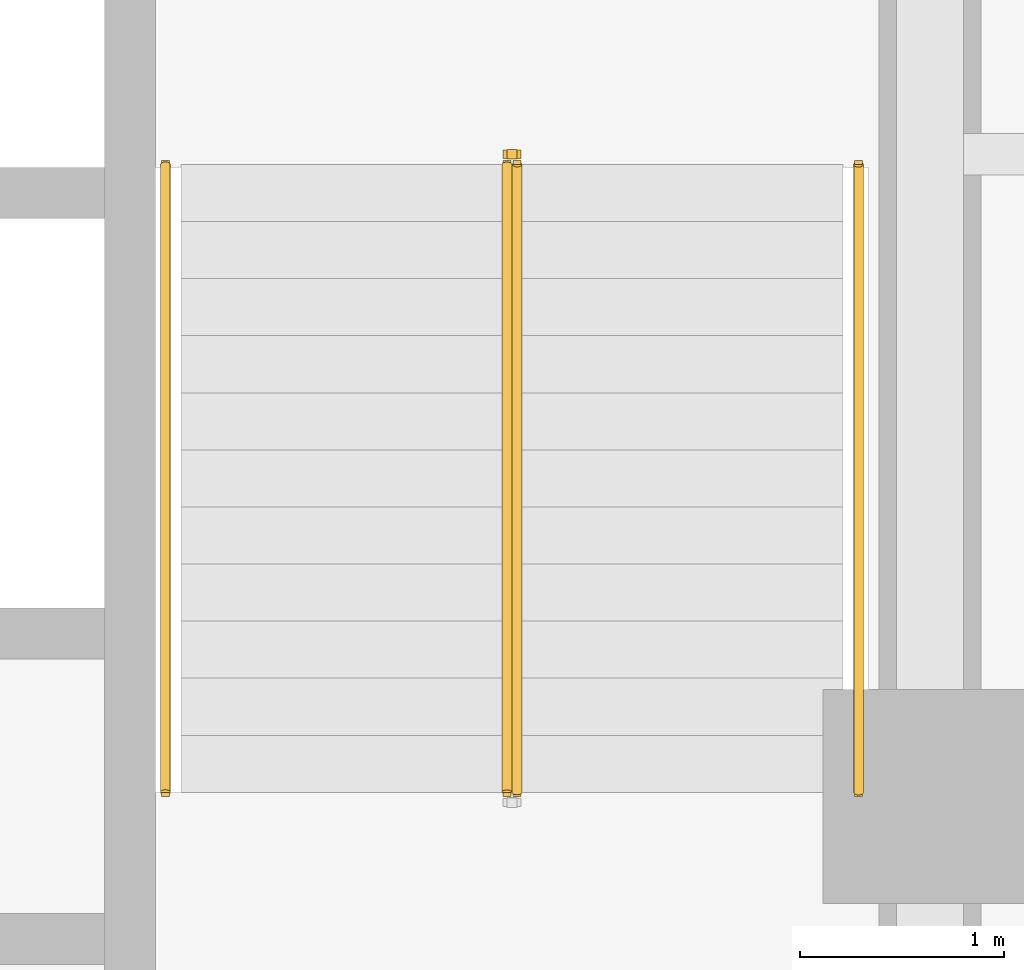
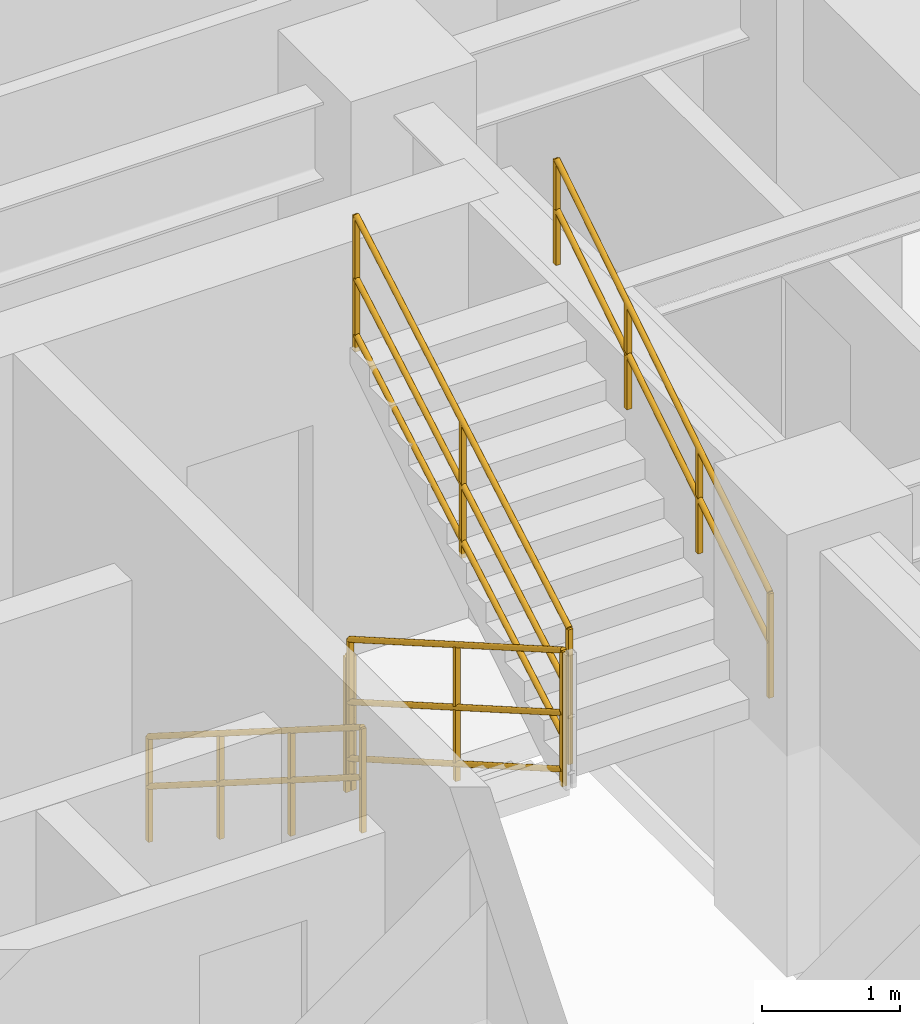
# One storey, part 9 of 10: 5 railings.
"""IFC4 building model written with IfcOpenShell, lengths in metres."""

from ifc_helpers import new_model, entity, si_unit, converted_unit, direction, frame, origin_with_axes, origin_2d_with_axis, place, context, subcontext, project, spatial, rectangle, circle, extrude, material, type_object, element, save


model = new_model("IFC4")

# Units and contexts
model_context = context("Model", 3, precision=1e-05, world=origin_with_axes(), true_north=direction((0.0, 1.0)))
body_context = subcontext(model_context, "Body", "Model", "MODEL_VIEW")
ifc_project = project(units=[si_unit("LENGTHUNIT", "METRE"), si_unit("AREAUNIT", "SQUARE_METRE"), si_unit("VOLUMEUNIT", "CUBIC_METRE"), converted_unit("PLANEANGLEUNIT", "DEGREE", entity("IfcPlaneAngleMeasure", 0.017453292519943295), si_unit("PLANEANGLEUNIT", "RADIAN"), dimensions=[0, 0, 0, 0, 0, 0, 0]), si_unit("MASSUNIT", "GRAM", prefix="KILO"), si_unit("THERMODYNAMICTEMPERATUREUNIT", "KELVIN")], contexts=[model_context])

# Site, building, storey
site_placement = place(None, origin_with_axes())
site = spatial("IfcSite", under=ifc_project, at=site_placement, CompositionType="ELEMENT")
building_placement = place(site_placement, origin_with_axes())
building = spatial("IfcBuilding", under=site, at=building_placement, Name="Varnlund Millrace Tower", CompositionType="ELEMENT")
storey_placement = place(building_placement, frame((0.0, 0.0, 175.8), z_axis=(0.0, 0.0, 1.0), x_axis=(1.0, 0.0, 0.0)))
storey = spatial("IfcBuildingStorey", under=building, at=storey_placement, Name="L43", CompositionType="ELEMENT", Elevation=175.8)

# Railings
ifc_material_1 = material(Name="Painted steel stair well balustrade guard", Category="steel")
railing_type_1 = type_object("IfcRailingType", Name="Type-StairGuard-1150", PredefinedType="GUARDRAIL", material=ifc_material_1)
railing_1_placement = place(storey_placement, frame((0.0, 0.0, -175.8), z_axis=(0.0, 0.0, 1.0), x_axis=(1.0, 0.0, 0.0)))
element("IfcRailing", 1, at=railing_1_placement, inside=storey, type_object=railing_type_1, Name="Type-StairGuard-1150", PredefinedType="GUARDRAIL", context=body_context, shape_type="SweptSolid", body=[
    extrude(circle(Radius=0.024, at=origin_2d_with_axis()), frame((45.975, 21.1, 177.127273), z_axis=(0.0, -0.866696, 0.498836), x_axis=(1.0, 0.0, 0.0)), (0.0, 0.0, 1.0), 3.553725),
    extrude(circle(Radius=0.024, at=origin_2d_with_axis()), frame((45.975, 21.1, 176.077273), z_axis=(0.0, -0.866696, 0.498836), x_axis=(1.0, 0.0, 0.0)), (0.0, 0.0, 1.0), 3.553725),
    extrude(circle(Radius=0.024, at=origin_2d_with_axis()), frame((45.975, 21.1, 176.575273), z_axis=(0.0, -0.866696, 0.498836), x_axis=(1.0, 0.0, 0.0)), (0.0, 0.0, 1.0), 3.553725),
    extrude(rectangle(XDim=0.04, YDim=0.04, at=origin_2d_with_axis()), frame((45.975, 21.1, 175.937273), z_axis=(0.0, 0.0, 1.0), x_axis=(1.0, 0.0, 0.0)), (0.0, 0.0, 1.0), 1.19),
    extrude(rectangle(XDim=0.04, YDim=0.04, at=origin_2d_with_axis()), frame((45.975, 19.56, 176.823636), z_axis=(0.0, 0.0, 1.0), x_axis=(1.0, 0.0, 0.0)), (0.0, 0.0, 1.0), 1.19),
    extrude(rectangle(XDim=0.04, YDim=0.04, at=origin_2d_with_axis()), frame((45.975, 18.02, 177.71), z_axis=(0.0, 0.0, 1.0), x_axis=(1.0, 0.0, 0.0)), (0.0, 0.0, 1.0), 1.19),
])
railing_2_placement = place(storey_placement, frame((0.0, 0.0, -175.8), z_axis=(0.0, 0.0, 1.0), x_axis=(1.0, 0.0, 0.0)))
element("IfcRailing", 2, at=railing_2_placement, inside=storey, type_object=railing_type_1, Name="Type-StairGuard-1150", PredefinedType="GUARDRAIL", context=body_context, shape_type="SweptSolid", body=[
    extrude(circle(Radius=0.024, at=origin_2d_with_axis()), frame((46.025, 18.02, 179.077273), z_axis=(0.0, 0.866696, 0.498836), x_axis=(-1.0, 0.0, 0.0)), (0.0, 0.0, 1.0), 3.553725),
    extrude(circle(Radius=0.024, at=origin_2d_with_axis()), frame((46.025, 18.02, 178.027273), z_axis=(0.0, 0.866696, 0.498836), x_axis=(-1.0, 0.0, 0.0)), (0.0, 0.0, 1.0), 3.553725),
    extrude(circle(Radius=0.024, at=origin_2d_with_axis()), frame((46.025, 18.02, 178.525273), z_axis=(0.0, 0.866696, 0.498836), x_axis=(-1.0, 0.0, 0.0)), (0.0, 0.0, 1.0), 3.553725),
    extrude(rectangle(XDim=0.04, YDim=0.04, at=origin_2d_with_axis()), frame((46.025, 18.02, 177.887273), z_axis=(0.0, 0.0, 1.0), x_axis=(1.0, 0.0, 0.0)), (0.0, 0.0, 1.0), 1.19),
    extrude(rectangle(XDim=0.04, YDim=0.04, at=origin_2d_with_axis()), frame((46.025, 19.56, 178.773637), z_axis=(0.0, 0.0, 1.0), x_axis=(1.0, 0.0, 0.0)), (0.0, 0.0, 1.0), 1.19),
    extrude(rectangle(XDim=0.04, YDim=0.04, at=origin_2d_with_axis()), frame((46.025, 21.1, 179.66), z_axis=(0.0, 0.0, 1.0), x_axis=(1.0, 0.0, 0.0)), (0.0, 0.0, 1.0), 1.19),
])
railing_3_placement = place(storey_placement, frame((0.0, 0.0, -175.8), z_axis=(0.0, 0.0, 1.0), x_axis=(1.0, 0.0, 0.0)))
element("IfcRailing", 3, at=railing_3_placement, inside=storey, type_object=railing_type_1, Name="Type-StairGuard-1150", PredefinedType="GUARDRAIL", context=body_context, shape_type="SweptSolid", body=[
    extrude(circle(Radius=0.024, at=origin_2d_with_axis()), frame((46.025, 21.15, 176.95), z_axis=(-1.0, 0.0, 0.0), x_axis=(0.0, -1.0, 0.0)), (0.0, 0.0, 1.0), 0.05),
    extrude(circle(Radius=0.024, at=origin_2d_with_axis()), frame((46.025, 21.15, 175.9), z_axis=(-1.0, 0.0, 0.0), x_axis=(0.0, -1.0, 0.0)), (0.0, 0.0, 1.0), 0.05),
    extrude(circle(Radius=0.024, at=origin_2d_with_axis()), frame((46.025, 21.15, 176.398), z_axis=(-1.0, 0.0, 0.0), x_axis=(0.0, -1.0, 0.0)), (0.0, 0.0, 1.0), 0.05),
    extrude(rectangle(XDim=0.04, YDim=0.04, at=origin_2d_with_axis()), frame((46.025, 21.15, 175.76), z_axis=(0.0, 0.0, 1.0), x_axis=(1.0, 0.0, 0.0)), (0.0, 0.0, 1.0), 1.19),
    extrude(rectangle(XDim=0.04, YDim=0.04, at=origin_2d_with_axis()), frame((45.975, 21.15, 175.76), z_axis=(0.0, 0.0, 1.0), x_axis=(1.0, 0.0, 0.0)), (0.0, 0.0, 1.0), 1.19),
])
ifc_material_2 = material(Name="Brushed architectural bronze stair handrail", Category="aluminium")
railing_type_2 = type_object("IfcRailingType", Name="Type-StairHandrail-900", PredefinedType="HANDRAIL", material=ifc_material_2)
railing_4_placement = place(storey_placement, frame((0.0, 0.0, -175.8), z_axis=(0.0, 0.0, 1.0), x_axis=(1.0, 0.0, 0.0)))
element("IfcRailing", 4, at=railing_4_placement, inside=storey, type_object=railing_type_2, Name="Type-StairHandrail-900", PredefinedType="HANDRAIL", context=body_context, shape_type="SweptSolid", body=[
    extrude(circle(Radius=0.024, at=origin_2d_with_axis()), frame((44.3, 21.1, 176.856995), z_axis=(0.0, -0.844902, 0.534922), x_axis=(1.0, 0.0, 0.0)), (0.0, 0.0, 1.0), 3.645394),
    extrude(circle(Radius=0.024, at=origin_2d_with_axis()), frame((44.3, 21.1, 176.417134), z_axis=(0.0, -0.844902, 0.534922), x_axis=(1.0, 0.0, 0.0)), (0.0, 0.0, 1.0), 3.645394),
    extrude(rectangle(XDim=0.04, YDim=0.04, at=origin_2d_with_axis()), frame((44.3, 21.1, 175.937273), z_axis=(0.0, 0.0, 1.0), x_axis=(1.0, 0.0, 0.0)), (0.0, 0.0, 1.0), 0.919722),
    extrude(rectangle(XDim=0.04, YDim=0.04, at=origin_2d_with_axis()), frame((44.3, 20.073333, 176.587273), z_axis=(0.0, 0.0, 1.0), x_axis=(1.0, 0.0, 0.0)), (0.0, 0.0, 1.0), 0.919722),
    extrude(rectangle(XDim=0.04, YDim=0.04, at=origin_2d_with_axis()), frame((44.3, 19.046667, 177.237273), z_axis=(0.0, 0.0, 1.0), x_axis=(1.0, 0.0, 0.0)), (0.0, 0.0, 1.0), 0.919722),
    extrude(rectangle(XDim=0.04, YDim=0.04, at=origin_2d_with_axis()), frame((44.3, 18.02, 177.887273), z_axis=(0.0, 0.0, 1.0), x_axis=(1.0, 0.0, 0.0)), (0.0, 0.0, 1.0), 0.919722),
])
railing_5_placement = place(storey_placement, frame((0.0, 0.0, -175.8), z_axis=(0.0, 0.0, 1.0), x_axis=(1.0, 0.0, 0.0)))
element("IfcRailing", 5, at=railing_5_placement, inside=storey, type_object=railing_type_2, Name="Type-StairHandrail-900", PredefinedType="HANDRAIL", context=body_context, shape_type="SweptSolid", body=[
    extrude(circle(Radius=0.024, at=origin_2d_with_axis()), frame((47.7, 18.02, 178.806995), z_axis=(0.0, 0.844902, 0.534922), x_axis=(-1.0, 0.0, 0.0)), (0.0, 0.0, 1.0), 3.645394),
    extrude(circle(Radius=0.024, at=origin_2d_with_axis()), frame((47.7, 18.02, 178.367134), z_axis=(0.0, 0.844902, 0.534922), x_axis=(-1.0, 0.0, 0.0)), (0.0, 0.0, 1.0), 3.645394),
    extrude(rectangle(XDim=0.04, YDim=0.04, at=origin_2d_with_axis()), frame((47.7, 18.02, 177.887273), z_axis=(0.0, 0.0, 1.0), x_axis=(1.0, 0.0, 0.0)), (0.0, 0.0, 1.0), 0.919722),
    extrude(rectangle(XDim=0.04, YDim=0.04, at=origin_2d_with_axis()), frame((47.7, 19.046667, 178.537273), z_axis=(0.0, 0.0, 1.0), x_axis=(1.0, 0.0, 0.0)), (0.0, 0.0, 1.0), 0.919722),
    extrude(rectangle(XDim=0.04, YDim=0.04, at=origin_2d_with_axis()), frame((47.7, 20.073333, 179.187273), z_axis=(0.0, 0.0, 1.0), x_axis=(1.0, 0.0, 0.0)), (0.0, 0.0, 1.0), 0.919722),
    extrude(rectangle(XDim=0.04, YDim=0.04, at=origin_2d_with_axis()), frame((47.7, 21.1, 179.837273), z_axis=(0.0, 0.0, 1.0), x_axis=(1.0, 0.0, 0.0)), (0.0, 0.0, 1.0), 0.919722),
])

save(model, "model.ifc")
